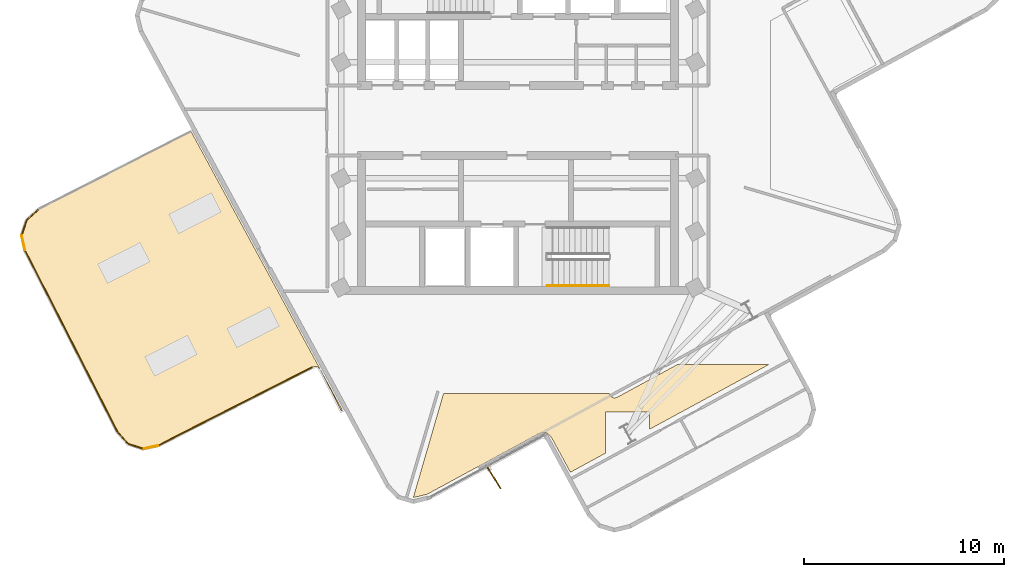
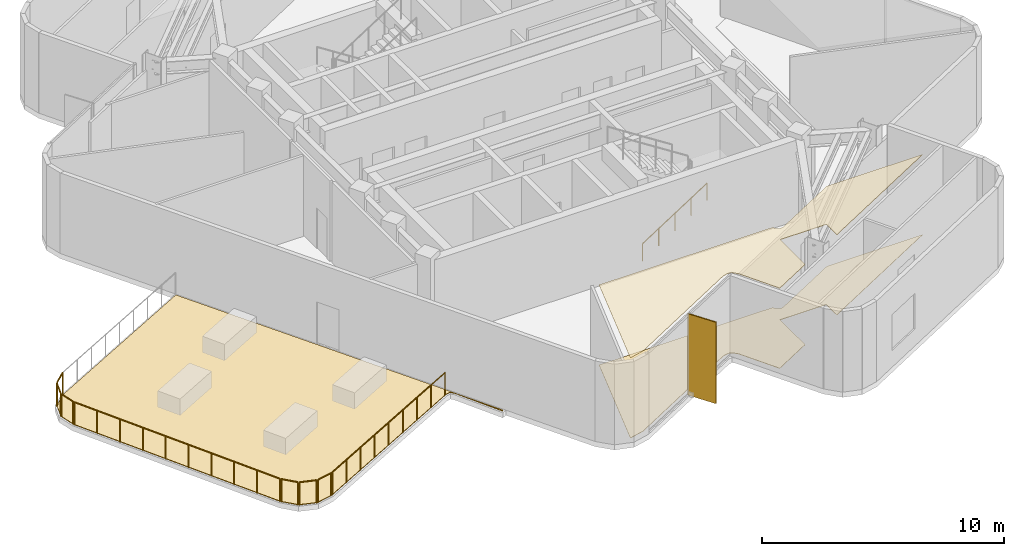
# One storey, part 7 of 10: 9 railings, 3 coverings, 1 shading device.
"""IFC4 building model written with IfcOpenShell, lengths in metres."""

from ifc_helpers import new_model, si_unit, direction, frame, origin, origin_2d, place, context, subcontext, project, spatial, polyline, rectangle, circle, outline, extrude, material, layer, layer_set, type_object, element, save


model = new_model("IFC4")

# Units and contexts
model_context = context("Model", 3, precision=1e-05, world=origin(), true_north=direction((0.0, 1.0)))
body_context = subcontext(model_context, "Body", "Model", "MODEL_VIEW")
ifc_project = project(units=[si_unit("LENGTHUNIT", "METRE"), si_unit("AREAUNIT", "SQUARE_METRE"), si_unit("VOLUMEUNIT", "CUBIC_METRE"), si_unit("PLANEANGLEUNIT", "RADIAN"), si_unit("MASSUNIT", "GRAM", prefix="KILO")], contexts=[model_context])

# Site, building, storey
site_placement = place(None, origin())
site = spatial("IfcSite", under=ifc_project, at=site_placement, CompositionType="ELEMENT")
building_placement = place(site_placement, origin())
building = spatial("IfcBuilding", under=site, at=building_placement, Name="Solmarez Civic Tower", CompositionType="ELEMENT")
storey_placement = place(building_placement, frame((0.0, 0.0, 200.8798828125)))
storey = spatial("IfcBuildingStorey", under=building, at=storey_placement, Name="L53", CompositionType="ELEMENT", Elevation=200.8798828125)

# Coverings
ifc_material_1 = material(Name="Perforated Mineral-Fibre Acoustic Ceiling")
ifc_layer_1 = layer(ifc_material_1, 0.02490234375)
ifc_layer_set_1 = layer_set([ifc_layer_1], Name="Perforated Mineral-Fibre Acoustic Ceiling")
covering_type_1 = type_object("IfcCoveringType", Name="COV-CEIL-ACOUSTIC", PredefinedType="CEILING", material=ifc_layer_set_1)
covering_1_placement = place(storey_placement, frame((0.0, 0.0, 4.03515625)))
element("IfcCovering", 1, at=covering_1_placement, inside=storey, type_object=covering_type_1, Name="L53 Suspended Acoustic Ceiling 1", PredefinedType="CEILING", context=body_context, shape_type="SweptSolid", body=[
    extrude(outline(polyline([(12.530029296875, -12.199951171875), (7.9619140625, -12.199951171875), (4.950927734375, -13.833984375), (4.93505859375, -13.842041015625), (4.926025390625, -13.845947265625), (4.904052734375, -13.85498046875), (4.8798828125, -13.861083984375), (4.875, -13.862060546875), (4.85400390625, -13.864990234375), (4.843994140625, -13.865966796875), (4.821044921875, -13.866943359375), (4.798095703125, -13.865966796875), (4.7890625, -13.864990234375), (4.77001953125, -13.862060546875), (4.764892578125, -13.861083984375), (4.740966796875, -13.85498046875), (4.718994140625, -13.845947265625), (4.7099609375, -13.842041015625), (4.681884765625, -13.827880859375), (4.674072265625, -13.822998046875), (4.654052734375, -13.80810546875), (4.635009765625, -13.7919921875), (4.6279296875, -13.784912109375), (4.60791015625, -13.760986328125), (4.60205078125, -13.7529296875), (4.5849609375, -13.72607421875), (4.54296875, -13.64990234375), (-3.73291015625, -13.64990234375), (-5.241943359375, -18.846923828125), (-5.235107421875, -18.84912109375), (-4.547119140625, -18.68408203125), (0.989990234375, -15.677978515625), (0.9970703125, -15.674072265625), (1.0029296875, -15.6708984375), (1.013916015625, -15.666015625), (1.02099609375, -15.6630859375), (1.0380859375, -15.656005859375), (1.0439453125, -15.654052734375), (1.06298828125, -15.64892578125), (1.23095703125, -15.60888671875), (1.2509765625, -15.60498046875), (1.261962890625, -15.60400390625), (1.27001953125, -15.60302734375), (1.297119140625, -15.60107421875), (1.303955078125, -15.60107421875), (1.3310546875, -15.60302734375), (1.343017578125, -15.60400390625), (1.35009765625, -15.60498046875), (1.3720703125, -15.610107421875), (1.3798828125, -15.612060546875), (1.39697265625, -15.616943359375), (1.4140625, -15.623046875), (1.4208984375, -15.6259765625), (1.443115234375, -15.636962890625), (1.449951171875, -15.64111328125), (1.462890625, -15.64892578125), (1.468994140625, -15.653076171875), (1.488037109375, -15.6669921875), (1.493896484375, -15.672119140625), (1.509033203125, -15.68505859375), (1.513916015625, -15.68994140625), (1.51708984375, -15.694091796875), (1.635986328125, -15.819091796875), (1.64892578125, -15.833984375), (1.653076171875, -15.839111328125), (1.6640625, -15.85400390625), (1.66796875, -15.860107421875), (1.672119140625, -15.865966796875), (1.681884765625, -15.883056640625), (2.60693359375, -17.5869140625), (4.367919921875, -16.631103515625), (4.367919921875, -14.571044921875), (6.568115234375, -14.571044921875), (6.568115234375, -15.43603515625), (12.530029296875, -12.199951171875)])), origin(), (0.0, 0.0, 1.0), 0.02490234375),
])
ifc_material_2 = material(Name="Polished Tropical Stone Terrazzo Flooring", Category="masonry")
ifc_layer_2 = layer(ifc_material_2, 0.02001953125)
ifc_layer_set_2 = layer_set([ifc_layer_2], Name="Polished Tropical Stone Terrazzo Flooring")
covering_type_2 = type_object("IfcCoveringType", Name="COV-FLOOR-TERRAZZO", PredefinedType="FLOORING", material=ifc_layer_set_2)
covering_2_placement = place(storey_placement, origin())
element("IfcCovering", 2, at=covering_2_placement, inside=storey, type_object=covering_type_2, Name="L53 Terrazzo Floor Finish 1", PredefinedType="FLOORING", context=body_context, shape_type="SweptSolid", body=[
    extrude(outline(polyline([(12.530029296875, -12.199951171875), (7.9619140625, -12.199951171875), (4.950927734375, -13.833984375), (4.93505859375, -13.842041015625), (4.926025390625, -13.845947265625), (4.904052734375, -13.85498046875), (4.8798828125, -13.861083984375), (4.875, -13.862060546875), (4.85400390625, -13.864990234375), (4.843994140625, -13.865966796875), (4.821044921875, -13.866943359375), (4.798095703125, -13.865966796875), (4.7890625, -13.864990234375), (4.77001953125, -13.862060546875), (4.764892578125, -13.861083984375), (4.740966796875, -13.85498046875), (4.718994140625, -13.845947265625), (4.7099609375, -13.842041015625), (4.681884765625, -13.827880859375), (4.674072265625, -13.822998046875), (4.654052734375, -13.80810546875), (4.635009765625, -13.7919921875), (4.6279296875, -13.784912109375), (4.60791015625, -13.760986328125), (4.60205078125, -13.7529296875), (4.5849609375, -13.72607421875), (4.54296875, -13.64990234375), (-3.73291015625, -13.64990234375), (-5.241943359375, -18.846923828125), (-5.235107421875, -18.84912109375), (-4.547119140625, -18.68408203125), (0.989990234375, -15.677978515625), (0.9970703125, -15.674072265625), (1.0029296875, -15.6708984375), (1.013916015625, -15.666015625), (1.02099609375, -15.6630859375), (1.0380859375, -15.656005859375), (1.0439453125, -15.654052734375), (1.06298828125, -15.64892578125), (1.23095703125, -15.60888671875), (1.2509765625, -15.60498046875), (1.261962890625, -15.60400390625), (1.27001953125, -15.60302734375), (1.297119140625, -15.60107421875), (1.303955078125, -15.60107421875), (1.3310546875, -15.60302734375), (1.343017578125, -15.60400390625), (1.35009765625, -15.60498046875), (1.3720703125, -15.610107421875), (1.3798828125, -15.612060546875), (1.39697265625, -15.616943359375), (1.4140625, -15.623046875), (1.4208984375, -15.6259765625), (1.443115234375, -15.636962890625), (1.449951171875, -15.64111328125), (1.462890625, -15.64892578125), (1.468994140625, -15.653076171875), (1.488037109375, -15.6669921875), (1.493896484375, -15.672119140625), (1.509033203125, -15.68505859375), (1.513916015625, -15.68994140625), (1.51708984375, -15.694091796875), (1.635986328125, -15.819091796875), (1.64892578125, -15.833984375), (1.653076171875, -15.839111328125), (1.6640625, -15.85400390625), (1.66796875, -15.860107421875), (1.672119140625, -15.865966796875), (1.681884765625, -15.883056640625), (2.60693359375, -17.5869140625), (4.367919921875, -16.631103515625), (4.367919921875, -14.571044921875), (6.568115234375, -14.571044921875), (6.568115234375, -15.43603515625), (12.530029296875, -12.199951171875)])), origin(), (0.0, 0.0, 1.0), 0.02001953125),
])
ifc_material_3 = material(Name="Elastomeric Terrace Waterproofing Membrane")
ifc_layer_3 = layer(ifc_material_3, 0.030029296875)
ifc_layer_set_3 = layer_set([ifc_layer_3], Name="Elastomeric Terrace Waterproofing Membrane")
covering_type_3 = type_object("IfcCoveringType", Name="COV-MEMBRANE-ROOF", PredefinedType="ROOFING", material=ifc_layer_set_3)
covering_3_placement = place(storey_placement, origin())
element("IfcCovering", 3, at=covering_3_placement, inside=storey, type_object=covering_type_3, Name="L53 Botanical Sky Garden Waterproofing Membrane", PredefinedType="ROOFING", context=body_context, shape_type="SweptSolid", body=[
    extrude(outline(polyline([(-23.98095703125, -4.451904296875), (-24.573974609375, -4.986083984375), (-24.81591796875, -5.73193359375), (-24.65087890625, -6.510986328125), (-20.030029296875, -15.5810546875), (-19.4970703125, -16.173095703125), (-18.75, -16.4150390625), (-17.970947265625, -16.25), (-10.281982421875, -12.3330078125), (-10.27587890625, -12.330078125), (-10.26904296875, -12.327880859375), (-10.262939453125, -12.325927734375), (-10.094970703125, -12.2900390625), (-10.0869140625, -12.2890625), (-10.080078125, -12.2880859375), (-10.072021484375, -12.2880859375), (-10.06396484375, -12.2890625), (-10.056884765625, -12.291015625), (-10.050048828125, -12.29296875), (-10.04296875, -12.2958984375), (-10.035888671875, -12.300048828125), (-10.030029296875, -12.303955078125), (-10.02392578125, -12.30908203125), (-10.01806640625, -12.31494140625), (-9.903076171875, -12.443115234375), (-9.89892578125, -12.447998046875), (-9.89501953125, -12.4541015625), (-9.89208984375, -12.4599609375), (-8.843017578125, -14.51708984375), (-8.782958984375, -14.487060546875), (-16.344970703125, -0.56103515625), (-23.98095703125, -4.451904296875)])), origin(), (0.0, 0.0, 1.0), 0.030029296875),
])

# Shading device
ifc_material_4 = material(Name="Bronze Anodised Aluminium EN AW-6063 T6", Category="aluminium")
ifc_layer_4 = layer(ifc_material_4, 0.054931640625)
ifc_layer_set_4 = layer_set([ifc_layer_4], Name="Bronze Anodised Aluminium EN AW-6063 T6")
shading_device_type = type_object("IfcShadingDeviceType", Name="FIN-BRONZE-Z56", PredefinedType="USERDEFINED", material=ifc_layer_set_4)
shading_device_placement = place(storey_placement, frame((-1.236083984375, -17.824951171875, -0.0400390625), z_axis=(0.0, 0.0, 1.0), x_axis=(0.524372353429, -0.851489069195, 0.0)))
element("IfcShadingDevice", 4, at=shading_device_placement, inside=storey, type_object=shading_device_type, Name="L53 Anodised Bronze Solar Fin FIN-L53-01", ObjectType="FIN", PredefinedType="USERDEFINED", context=body_context, shape_type="SweptSolid", body=[
    extrude(rectangle(XDim=1.35009765625, YDim=0.054931640625, at=origin_2d()), origin(), (0.0, 0.0, 1.0), 4.10009765625),
])

# Railings
ifc_material_5 = material(Name="Bronze Anodised Aluminium and Laminated Safety Glass Balustrade", Category="aluminium")
railing_type_1 = type_object("IfcRailingType", Name="GUARD-TERR-1180", PredefinedType="BALUSTRADE", material=ifc_material_5)
railing_1_placement = place(storey_placement, frame((-24.007080078125, -4.47509765625, 0.0)))
element("IfcRailing", 5, at=railing_1_placement, inside=storey, type_object=railing_type_1, Name="L53 Safety Balustrade GRD-SKYGARDEN-L53-1", PredefinedType="BALUSTRADE", context=body_context, shape_type="SweptSolid", body=[
    extrude(circle(Radius=0.02392578125, at=origin_2d()), frame((0.0, 0.0, 1.15576171875), z_axis=(-0.742693909104, -0.669631060645, 0.0), x_axis=(0.669631060645, -0.742693909104, 0.0)), (0.0, 0.0, 1.0), 0.728515625),
    extrude(circle(Radius=0.02099609375, at=origin_2d()), origin(), (0.0, 0.0, 1.0), 1.1318359375),
    extrude(circle(Radius=0.02099609375, at=origin_2d()), frame((-0.541015625, -0.48779296875, 0.0)), (0.0, 0.0, 1.0), 1.1318359375),
])
railing_2_placement = place(storey_placement, frame((-24.5849609375, -5.01904296875, 0.0)))
element("IfcRailing", 6, at=railing_2_placement, inside=storey, type_object=railing_type_1, Name="L53 Safety Balustrade GRD-SKYGARDEN-L53-2", PredefinedType="BALUSTRADE", context=body_context, shape_type="SweptSolid", body=[
    extrude(circle(Radius=0.02392578125, at=origin_2d()), frame((0.0, 0.0, 1.15576171875), z_axis=(-0.30781118946, -0.951447461315, 0.0), x_axis=(0.951447461315, -0.30781118946, 0.0)), (0.0, 0.0, 1.0), 0.714599609375),
    extrude(circle(Radius=0.02099609375, at=origin_2d()), origin(), (0.0, 0.0, 1.0), 1.1318359375),
    extrude(circle(Radius=0.02099609375, at=origin_2d()), frame((-0.219970703125, -0.679931640625, 0.0)), (0.0, 0.0, 1.0), 1.1318359375),
])
railing_3_placement = place(storey_placement, frame((-24.80908203125, -5.76611328125, 0.0)))
element("IfcRailing", 7, at=railing_3_placement, inside=storey, type_object=railing_type_1, Name="L53 Safety Balustrade GRD-SKYGARDEN-L53-3", PredefinedType="BALUSTRADE", context=body_context, shape_type="SweptSolid", body=[
    extrude(circle(Radius=0.02392578125, at=origin_2d()), frame((0.0, 0.0, 1.15576171875), z_axis=(0.20792303313, -0.978145189782, 0.0), x_axis=(0.978145189782, 0.20792303313, 0.0)), (0.0, 0.0, 1.0), 0.726806640625),
    extrude(circle(Radius=0.02099609375, at=origin_2d()), origin(), (0.0, 0.0, 1.0), 1.1318359375),
    extrude(circle(Radius=0.02099609375, at=origin_2d()), frame((0.151123046875, -0.7109375, 0.0)), (0.0, 0.0, 1.0), 1.1318359375),
])
railing_4_placement = place(storey_placement, frame((-24.635009765625, -6.5419921875, 0.0)))
element("IfcRailing", 8, at=railing_4_placement, inside=storey, type_object=railing_type_1, Name="L53 Safety Balustrade GRD-SKYGARDEN-L53-4", PredefinedType="BALUSTRADE", context=body_context, shape_type="SweptSolid", body=[
    extrude(circle(Radius=0.02392578125, at=origin_2d()), frame((0.0, 0.0, 1.15576171875), z_axis=(0.453933740147, -0.891035442368, 0.0), x_axis=(0.891035442368, 0.453933740147, 0.0)), (0.0, 0.0, 1.0), 10.109619140625),
    extrude(circle(Radius=0.02099609375, at=origin_2d()), origin(), (0.0, 0.0, 1.0), 1.1318359375),
    extrude(circle(Radius=0.02099609375, at=origin_2d()), frame((0.510009765625, -1.0009765625, 0.0)), (0.0, 0.0, 1.0), 1.1318359375),
    extrude(circle(Radius=0.02099609375, at=origin_2d()), frame((1.019775390625, -2.001708984375, 0.0)), (0.0, 0.0, 1.0), 1.1318359375),
    extrude(circle(Radius=0.02099609375, at=origin_2d()), frame((1.52978515625, -3.002685546875, 0.0)), (0.0, 0.0, 1.0), 1.1318359375),
    extrude(circle(Radius=0.02099609375, at=origin_2d()), frame((2.03955078125, -4.003662109375, 0.0)), (0.0, 0.0, 1.0), 1.1318359375),
    extrude(circle(Radius=0.02099609375, at=origin_2d()), frame((2.549560546875, -5.00439453125, 0.0)), (0.0, 0.0, 1.0), 1.1318359375),
    extrude(circle(Radius=0.02099609375, at=origin_2d()), frame((3.059326171875, -6.00537109375, 0.0)), (0.0, 0.0, 1.0), 1.1318359375),
    extrude(circle(Radius=0.02099609375, at=origin_2d()), frame((3.5693359375, -7.00634765625, 0.0)), (0.0, 0.0, 1.0), 1.1318359375),
    extrude(circle(Radius=0.02099609375, at=origin_2d()), frame((4.0791015625, -8.007080078125, 0.0)), (0.0, 0.0, 1.0), 1.1318359375),
    extrude(circle(Radius=0.02099609375, at=origin_2d()), frame((4.589111328125, -9.008056640625, 0.0)), (0.0, 0.0, 1.0), 1.1318359375),
])
railing_5_placement = place(storey_placement, frame((-20.007080078125, -15.60693359375, 0.0)))
element("IfcRailing", 9, at=railing_5_placement, inside=storey, type_object=railing_type_1, Name="L53 Safety Balustrade GRD-SKYGARDEN-L53-5", PredefinedType="BALUSTRADE", context=body_context, shape_type="SweptSolid", body=[
    extrude(circle(Radius=0.02392578125, at=origin_2d()), frame((0.0, 0.0, 1.15576171875), z_axis=(0.669743362039, -0.742592640015, 0.0), x_axis=(0.742592640015, 0.669743362039, 0.0)), (0.0, 0.0, 1.0), 0.727294921875),
    extrude(circle(Radius=0.02099609375, at=origin_2d()), origin(), (0.0, 0.0, 1.0), 1.1318359375),
    extrude(circle(Radius=0.02099609375, at=origin_2d()), frame((0.487060546875, -0.5400390625, 0.0)), (0.0, 0.0, 1.0), 1.1318359375),
])
railing_6_placement = place(storey_placement, frame((-19.464111328125, -16.18408203125, 0.0)))
element("IfcRailing", 10, at=railing_6_placement, inside=storey, type_object=railing_type_1, Name="L53 Safety Balustrade GRD-SKYGARDEN-L53-6", PredefinedType="BALUSTRADE", context=body_context, shape_type="SweptSolid", body=[
    extrude(circle(Radius=0.02392578125, at=origin_2d()), frame((0.0, 0.0, 1.15576171875), z_axis=(0.951608912272, -0.307311695325, 0.0), x_axis=(0.307311695325, 0.951608912272, 0.0)), (0.0, 0.0, 1.0), 0.7158203125),
    extrude(circle(Radius=0.02099609375, at=origin_2d()), origin(), (0.0, 0.0, 1.0), 1.1318359375),
    extrude(circle(Radius=0.02099609375, at=origin_2d()), frame((0.68115234375, -0.219970703125, 0.0)), (0.0, 0.0, 1.0), 1.1318359375),
])
railing_7_placement = place(storey_placement, frame((-18.716064453125, -16.407958984375, 0.0)))
element("IfcRailing", 11, at=railing_7_placement, inside=storey, type_object=railing_type_1, Name="L53 Safety Balustrade GRD-SKYGARDEN-L53-7", PredefinedType="BALUSTRADE", context=body_context, shape_type="SweptSolid", body=[
    extrude(circle(Radius=0.02392578125, at=origin_2d()), frame((0.0, 0.0, 1.15576171875), z_axis=(0.978227927736, 0.207533422362, 0.0), x_axis=(-0.207533422362, 0.978227927736, 0.0)), (0.0, 0.0, 1.0), 0.72705078125),
    extrude(circle(Radius=0.02099609375, at=origin_2d()), origin(), (0.0, 0.0, 1.0), 1.1318359375),
    extrude(circle(Radius=0.02099609375, at=origin_2d()), frame((0.711181640625, 0.15087890625, 0.0)), (0.0, 0.0, 1.0), 1.1318359375),
])
railing_8_placement = place(storey_placement, frame((-17.93994140625, -16.23388671875, 0.0)))
element("IfcRailing", 12, at=railing_8_placement, inside=storey, type_object=railing_type_1, Name="L53 Safety Balustrade GRD-SKYGARDEN-L53-8", PredefinedType="BALUSTRADE", context=body_context, shape_type="SweptSolid", body=[
    extrude(circle(Radius=0.02392578125, at=origin_2d()), frame((0.0, 0.0, 1.15576171875), z_axis=(0.891070839833, 0.45386425107, 0.0), x_axis=(-0.45386425107, 0.891070839833, 0.0)), (0.0, 0.0, 1.0), 8.559326171875),
    extrude(circle(Radius=0.02099609375, at=origin_2d()), origin(), (0.0, 0.0, 1.0), 1.1318359375),
    extrude(circle(Radius=0.02099609375, at=origin_2d()), frame((0.953369140625, 0.485595703125, 0.0)), (0.0, 0.0, 1.0), 1.1318359375),
    extrude(circle(Radius=0.02099609375, at=origin_2d()), frame((1.90673828125, 0.97119140625, 0.0)), (0.0, 0.0, 1.0), 1.1318359375),
    extrude(circle(Radius=0.02099609375, at=origin_2d()), frame((2.860107421875, 1.456787109375, 0.0)), (0.0, 0.0, 1.0), 1.1318359375),
    extrude(circle(Radius=0.02099609375, at=origin_2d()), frame((3.8134765625, 1.9423828125, 0.0)), (0.0, 0.0, 1.0), 1.1318359375),
    extrude(circle(Radius=0.02099609375, at=origin_2d()), frame((4.766845703125, 2.427978515625, 0.0)), (0.0, 0.0, 1.0), 1.1318359375),
    extrude(circle(Radius=0.02099609375, at=origin_2d()), frame((5.72021484375, 2.91357421875, 0.0)), (0.0, 0.0, 1.0), 1.1318359375),
    extrude(circle(Radius=0.02099609375, at=origin_2d()), frame((6.673583984375, 3.399169921875, 0.0)), (0.0, 0.0, 1.0), 1.1318359375),
    extrude(circle(Radius=0.02099609375, at=origin_2d()), frame((7.626953125, 3.884765625, 0.0)), (0.0, 0.0, 1.0), 1.1318359375),
])
ifc_material_6 = material(Name="Brushed Stainless Steel Tube Handrail", Category="steel")
railing_type_2 = type_object("IfcRailingType", Name="HANDRAIL-STAIR-900", PredefinedType="HANDRAIL", material=ifc_material_6)
railing_9_placement = place(storey_placement, frame((1.449951171875, -8.27001953125, 0.18017578125)))
element("IfcRailing", 13, at=railing_9_placement, inside=storey, type_object=railing_type_2, Name="L53 ST-2 stair handrail 1", PredefinedType="HANDRAIL", context=body_context, shape_type="SweptSolid", body=[
    extrude(circle(Radius=0.02392578125, at=origin_2d()), frame((0.0, 0.0, 0.8759765625), z_axis=(0.84118714077, 0.0, 0.540744111576), x_axis=(0.0, 1.0, 0.0)), (0.0, 0.0, 1.0), 3.66162109375),
    extrude(circle(Radius=0.02099609375, at=origin_2d()), origin(), (0.0, 0.0, 1.0), 0.851806640625),
    extrude(circle(Radius=0.02099609375, at=origin_2d()), frame((0.77001953125, 0.0, 0.4951171875)), (0.0, 0.0, 1.0), 0.851806640625),
    extrude(circle(Radius=0.02099609375, at=origin_2d()), frame((1.5400390625, 0.0, 0.989990234375)), (0.0, 0.0, 1.0), 0.851806640625),
    extrude(circle(Radius=0.02099609375, at=origin_2d()), frame((2.31005859375, 0.0, 1.48486328125)), (0.0, 0.0, 1.0), 0.851806640625),
    extrude(circle(Radius=0.02099609375, at=origin_2d()), frame((3.080078125, 0.0, 1.97998046875)), (0.0, 0.0, 1.0), 0.851806640625),
])

save(model, "model.ifc")
